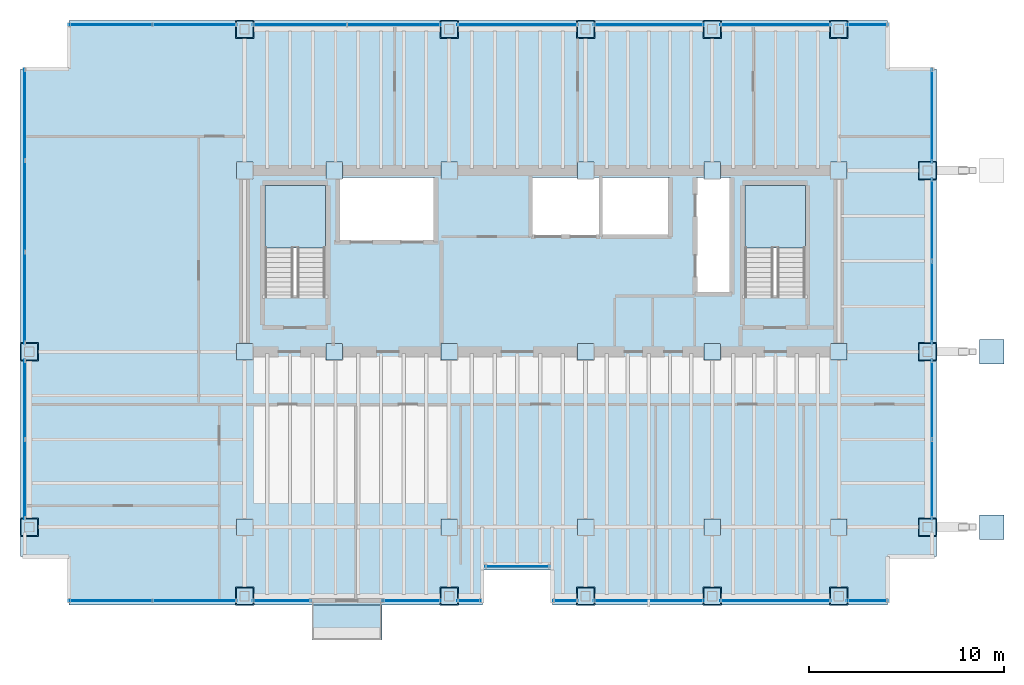
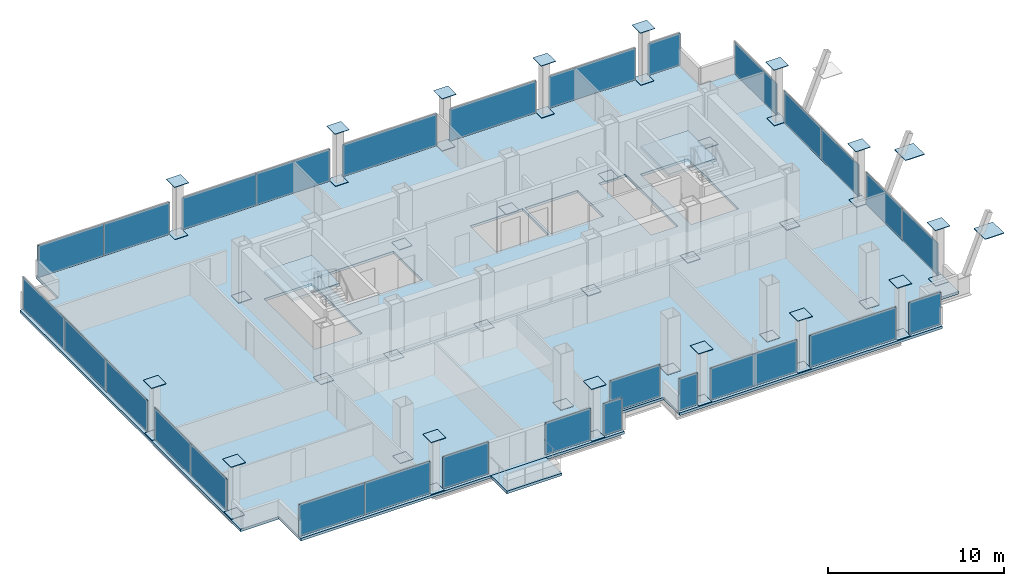
# One storey, part 15 of 19: 77 plates, 4 slabs, 6 openings, 22 elements without a shape of their own.
"""IFC4 building model written with IfcOpenShell, lengths in metres."""

from ifc_helpers import new_model, si_unit, direction, frame, origin, origin_2d, place, context, subcontext, project, spatial, polyline, rectangle, outline, extrude, material, layer, layer_set, type_object, element, aggregate, save


model = new_model("IFC4")

# Units and contexts
model_context = context("Model", 3, precision=1e-05, world=origin(), true_north=direction((0.0, 1.0)))
body_context = subcontext(model_context, "Body", "Model", "MODEL_VIEW")
ifc_project = project(units=[si_unit("LENGTHUNIT", "METRE"), si_unit("AREAUNIT", "SQUARE_METRE"), si_unit("VOLUMEUNIT", "CUBIC_METRE"), si_unit("PLANEANGLEUNIT", "RADIAN"), si_unit("MASSUNIT", "GRAM", prefix="KILO")], contexts=[model_context])

# Site, building, storey
site_placement = place(None, origin())
site = spatial("IfcSite", under=ifc_project, at=site_placement, CompositionType="ELEMENT")
building_placement = place(site_placement, origin())
building = spatial("IfcBuilding", under=site, at=building_placement, Name="Noeulbin Bourse Tower", CompositionType="ELEMENT")
storey_placement = place(building_placement, frame((0.0, 0.0, 165.60009765625)))
storey = spatial("IfcBuildingStorey", under=building, at=storey_placement, Name="L41", CompositionType="ELEMENT", Elevation=165.60009765625)

# Curtain wall, plate
ifc_material_1 = material(Name="Dark Tinted Triple Glazing", Category="glass")
curtain_wall_type = type_object("IfcCurtainWallType", Name="CW-SYS-3", PredefinedType="NOTDEFINED", material=ifc_material_1)
curtain_wall_1_placement = place(storey_placement, origin())
curtain_wall_1 = element("IfcCurtainWall", 1, at=curtain_wall_1_placement, inside=storey, type_object=curtain_wall_type, Name="Unitised Curtain Wall CW-L41-SREC", PredefinedType="NOTDEFINED")
ifc_layer_1 = layer(ifc_material_1, 0.035888671875)
ifc_layer_set_1 = layer_set([ifc_layer_1], Name="Dark Tinted Triple Glazing")
plate_type_1 = type_object("IfcPlateType", Name="CW-SYS-3-PNL", PredefinedType="CURTAIN_PANEL", material=ifc_layer_set_1)
plate_1_placement = place(storey_placement, frame((27.5, 17.97998046875, 0.0), z_axis=(0.0, 0.0, 1.0), x_axis=(1.0, 0.0, 0.0)))
plate_1 = element("IfcPlate", 2, at=plate_1_placement, type_object=plate_type_1, Name="Glazed Curtain Panel CW-L41-SREC-P00", PredefinedType="CURTAIN_PANEL", context=body_context, shape_type="SweptSolid", body=[
    extrude(rectangle(XDim=3.300048828125, YDim=0.035888671875, at=origin_2d()), origin(), (0.0, 0.0, 1.0), 2.219970703125),
])
aggregate(curtain_wall_1, [plate_1])

# Curtain wall, plates
curtain_wall_2_placement = place(storey_placement, origin())
curtain_wall_2 = element("IfcCurtainWall", 3, at=curtain_wall_2_placement, inside=storey, type_object=curtain_wall_type, Name="Unitised Curtain Wall CW-L41-S1-S1", PredefinedType="NOTDEFINED")
plate_2_placement = place(storey_placement, frame((6.632568359375, 16.219970703125, 0.0), z_axis=(0.0, 0.0, 1.0), x_axis=(1.0, 0.0, 0.0)))
plate_2 = element("IfcPlate", 4, at=plate_2_placement, type_object=plate_type_1, Name="Glazed Curtain Panel CW-L41-S1-S1-P00", PredefinedType="CURTAIN_PANEL", context=body_context, shape_type="SweptSolid", body=[
    extrude(rectangle(XDim=4.304931640625, YDim=0.035888671875, at=origin_2d()), origin(), (0.0, 0.0, 1.0), 2.219970703125),
])
plate_3_placement = place(storey_placement, frame((10.9375, 16.219970703125, 0.0), z_axis=(0.0, 0.0, 1.0), x_axis=(1.0, 0.0, 0.0)))
plate_3 = element("IfcPlate", 5, at=plate_3_placement, type_object=plate_type_1, Name="Glazed Curtain Panel CW-L41-S1-S1-P01", PredefinedType="CURTAIN_PANEL", context=body_context, shape_type="SweptSolid", body=[
    extrude(rectangle(XDim=4.304931640625, YDim=0.035888671875, at=origin_2d()), origin(), (0.0, 0.0, 1.0), 2.219970703125),
])
aggregate(curtain_wall_2, [plate_2, plate_3])

# Curtain wall, plate
curtain_wall_3_placement = place(storey_placement, origin())
curtain_wall_3 = element("IfcCurtainWall", 6, at=curtain_wall_3_placement, inside=storey, type_object=curtain_wall_type, Name="Unitised Curtain Wall CW-L41-S1-S2", PredefinedType="NOTDEFINED")
plate_4_placement = place(storey_placement, frame((15.405029296875, 16.219970703125, 0.0), z_axis=(0.0, 0.0, 1.0), x_axis=(1.0, 0.0, 0.0)))
plate_4 = element("IfcPlate", 7, at=plate_4_placement, type_object=plate_type_1, Name="Glazed Curtain Panel CW-L41-S1-S2-P00", PredefinedType="CURTAIN_PANEL", context=body_context, shape_type="SweptSolid", body=[
    extrude(rectangle(XDim=2.989990234375, YDim=0.035888671875, at=origin_2d()), origin(), (0.0, 0.0, 1.0), 2.219970703125),
])
aggregate(curtain_wall_3, [plate_4])

curtain_wall_4_placement = place(storey_placement, origin())
curtain_wall_4 = element("IfcCurtainWall", 8, at=curtain_wall_4_placement, inside=storey, type_object=curtain_wall_type, Name="Unitised Curtain Wall CW-L41-S2-S1", PredefinedType="NOTDEFINED")
plate_5_placement = place(storey_placement, frame((22.094970703125, 16.219970703125, 0.0), z_axis=(0.0, 0.0, 1.0), x_axis=(1.0, 0.0, 0.0)))
plate_5 = element("IfcPlate", 9, at=plate_5_placement, type_object=plate_type_1, Name="Glazed Curtain Panel CW-L41-S2-S1-P00", PredefinedType="CURTAIN_PANEL", context=body_context, shape_type="SweptSolid", body=[
    extrude(rectangle(XDim=2.989990234375, YDim=0.035888671875, at=origin_2d()), origin(), (0.0, 0.0, 1.0), 2.219970703125),
])
aggregate(curtain_wall_4, [plate_5])

curtain_wall_5_placement = place(storey_placement, origin())
curtain_wall_5 = element("IfcCurtainWall", 10, at=curtain_wall_5_placement, inside=storey, type_object=curtain_wall_type, Name="Unitised Curtain Wall CW-L41-S2-S2", PredefinedType="NOTDEFINED")
plate_6_placement = place(storey_placement, frame((25.030029296875, 16.219970703125, 0.0), z_axis=(0.0, 0.0, 1.0), x_axis=(1.0, 0.0, 0.0)))
plate_6 = element("IfcPlate", 11, at=plate_6_placement, type_object=plate_type_1, Name="Glazed Curtain Panel CW-L41-S2-S2-P00", PredefinedType="CURTAIN_PANEL", context=body_context, shape_type="SweptSolid", body=[
    extrude(rectangle(XDim=1.239990234375, YDim=0.035888671875, at=origin_2d()), origin(), (0.0, 0.0, 1.0), 2.219970703125),
])
aggregate(curtain_wall_5, [plate_6])

curtain_wall_6_placement = place(storey_placement, origin())
curtain_wall_6 = element("IfcCurtainWall", 12, at=curtain_wall_6_placement, inside=storey, type_object=curtain_wall_type, Name="Unitised Curtain Wall CW-L41-S3-S1", PredefinedType="NOTDEFINED")
plate_7_placement = place(storey_placement, frame((29.969970703125, 16.219970703125, 0.0), z_axis=(0.0, 0.0, 1.0), x_axis=(1.0, 0.0, 0.0)))
plate_7 = element("IfcPlate", 13, at=plate_7_placement, type_object=plate_type_1, Name="Glazed Curtain Panel CW-L41-S3-S1-P00", PredefinedType="CURTAIN_PANEL", context=body_context, shape_type="SweptSolid", body=[
    extrude(rectangle(XDim=1.239990234375, YDim=0.035888671875, at=origin_2d()), origin(), (0.0, 0.0, 1.0), 2.219970703125),
])
aggregate(curtain_wall_6, [plate_7])

curtain_wall_7_placement = place(storey_placement, origin())
curtain_wall_7 = element("IfcCurtainWall", 14, at=curtain_wall_7_placement, inside=storey, type_object=curtain_wall_type, Name="Unitised Curtain Wall CW-L41-S3-S2", PredefinedType="NOTDEFINED")
plate_8_placement = place(storey_placement, frame((34.25, 16.219970703125, 0.0), z_axis=(0.0, 0.0, 1.0), x_axis=(1.0, 0.0, 0.0)))
plate_8 = element("IfcPlate", 15, at=plate_8_placement, type_object=plate_type_1, Name="Glazed Curtain Panel CW-L41-S3-S2-P00", PredefinedType="CURTAIN_PANEL", context=body_context, shape_type="SweptSolid", body=[
    extrude(rectangle(XDim=5.679931640625, YDim=0.035888671875, at=origin_2d()), origin(), (0.0, 0.0, 1.0), 2.219970703125),
])
aggregate(curtain_wall_7, [plate_8])

curtain_wall_8_placement = place(storey_placement, origin())
curtain_wall_8 = element("IfcCurtainWall", 16, at=curtain_wall_8_placement, inside=storey, type_object=curtain_wall_type, Name="Unitised Curtain Wall CW-L41-S3-S3", PredefinedType="NOTDEFINED")
plate_9_placement = place(storey_placement, frame((40.75, 16.219970703125, 0.0), z_axis=(0.0, 0.0, 1.0), x_axis=(1.0, 0.0, 0.0)))
plate_9 = element("IfcPlate", 17, at=plate_9_placement, type_object=plate_type_1, Name="Glazed Curtain Panel CW-L41-S3-S3-P00", PredefinedType="CURTAIN_PANEL", context=body_context, shape_type="SweptSolid", body=[
    extrude(rectangle(XDim=5.679931640625, YDim=0.035888671875, at=origin_2d()), origin(), (0.0, 0.0, 1.0), 2.219970703125),
])
aggregate(curtain_wall_8, [plate_9])

curtain_wall_9_placement = place(storey_placement, origin())
curtain_wall_9 = element("IfcCurtainWall", 18, at=curtain_wall_9_placement, inside=storey, type_object=curtain_wall_type, Name="Unitised Curtain Wall CW-L41-S3-S4", PredefinedType="NOTDEFINED")
plate_10_placement = place(storey_placement, frame((45.465087890625, 16.219970703125, 0.0), z_axis=(0.0, 0.0, 1.0), x_axis=(1.0, 0.0, 0.0)))
plate_10 = element("IfcPlate", 19, at=plate_10_placement, type_object=plate_type_1, Name="Glazed Curtain Panel CW-L41-S3-S4-P00", PredefinedType="CURTAIN_PANEL", context=body_context, shape_type="SweptSolid", body=[
    extrude(rectangle(XDim=2.110107421875, YDim=0.035888671875, at=origin_2d()), origin(), (0.0, 0.0, 1.0), 2.219970703125),
])
aggregate(curtain_wall_9, [plate_10])

# Curtain wall, plates
curtain_wall_10_placement = place(storey_placement, origin())
curtain_wall_10 = element("IfcCurtainWall", 20, at=curtain_wall_10_placement, inside=storey, type_object=curtain_wall_type, Name="Unitised Curtain Wall CW-L41-N-S1", PredefinedType="NOTDEFINED")
plate_11_placement = place(storey_placement, frame((6.632568359375, 45.780029296875, 0.0), z_axis=(0.0, 0.0, 1.0), x_axis=(1.0, 0.0, 0.0)))
plate_11 = element("IfcPlate", 21, at=plate_11_placement, type_object=plate_type_1, Name="Glazed Curtain Panel CW-L41-N-S1-P00", PredefinedType="CURTAIN_PANEL", context=body_context, shape_type="SweptSolid", body=[
    extrude(rectangle(XDim=4.304931640625, YDim=0.035888671875, at=origin_2d()), origin(), (0.0, 0.0, 1.0), 2.219970703125),
])
plate_12_placement = place(storey_placement, frame((10.9375, 45.780029296875, 0.0), z_axis=(0.0, 0.0, 1.0), x_axis=(1.0, 0.0, 0.0)))
plate_12 = element("IfcPlate", 22, at=plate_12_placement, type_object=plate_type_1, Name="Glazed Curtain Panel CW-L41-N-S1-P01", PredefinedType="CURTAIN_PANEL", context=body_context, shape_type="SweptSolid", body=[
    extrude(rectangle(XDim=4.304931640625, YDim=0.035888671875, at=origin_2d()), origin(), (0.0, 0.0, 1.0), 2.219970703125),
])
aggregate(curtain_wall_10, [plate_11, plate_12])

curtain_wall_11_placement = place(storey_placement, origin())
curtain_wall_11 = element("IfcCurtainWall", 23, at=curtain_wall_11_placement, inside=storey, type_object=curtain_wall_type, Name="Unitised Curtain Wall CW-L41-N-S2", PredefinedType="NOTDEFINED")
plate_13_placement = place(storey_placement, frame((16.330078125, 45.780029296875, 0.0), z_axis=(0.0, 0.0, 1.0), x_axis=(1.0, 0.0, 0.0)))
plate_13 = element("IfcPlate", 24, at=plate_13_placement, type_object=plate_type_1, Name="Glazed Curtain Panel CW-L41-N-S2-P00", PredefinedType="CURTAIN_PANEL", context=body_context, shape_type="SweptSolid", body=[
    extrude(rectangle(XDim=4.840087890625, YDim=0.035888671875, at=origin_2d()), origin(), (0.0, 0.0, 1.0), 2.219970703125),
])
plate_14_placement = place(storey_placement, frame((21.169921875, 45.780029296875, 0.0), z_axis=(0.0, 0.0, 1.0), x_axis=(1.0, 0.0, 0.0)))
plate_14 = element("IfcPlate", 25, at=plate_14_placement, type_object=plate_type_1, Name="Glazed Curtain Panel CW-L41-N-S2-P01", PredefinedType="CURTAIN_PANEL", context=body_context, shape_type="SweptSolid", body=[
    extrude(rectangle(XDim=4.840087890625, YDim=0.035888671875, at=origin_2d()), origin(), (0.0, 0.0, 1.0), 2.219970703125),
])
aggregate(curtain_wall_11, [plate_13, plate_14])

# Curtain wall, plate
curtain_wall_12_placement = place(storey_placement, origin())
curtain_wall_12 = element("IfcCurtainWall", 26, at=curtain_wall_12_placement, inside=storey, type_object=curtain_wall_type, Name="Unitised Curtain Wall CW-L41-N-S3", PredefinedType="NOTDEFINED")
plate_15_placement = place(storey_placement, frame((27.5, 45.780029296875, 0.0), z_axis=(0.0, 0.0, 1.0), x_axis=(1.0, 0.0, 0.0)))
plate_15 = element("IfcPlate", 27, at=plate_15_placement, type_object=plate_type_1, Name="Glazed Curtain Panel CW-L41-N-S3-P00", PredefinedType="CURTAIN_PANEL", context=body_context, shape_type="SweptSolid", body=[
    extrude(rectangle(XDim=6.179931640625, YDim=0.035888671875, at=origin_2d()), origin(), (0.0, 0.0, 1.0), 2.219970703125),
])
aggregate(curtain_wall_12, [plate_15])

curtain_wall_13_placement = place(storey_placement, origin())
curtain_wall_13 = element("IfcCurtainWall", 28, at=curtain_wall_13_placement, inside=storey, type_object=curtain_wall_type, Name="Unitised Curtain Wall CW-L41-N-S4", PredefinedType="NOTDEFINED")
plate_16_placement = place(storey_placement, frame((34.25, 45.780029296875, 0.0), z_axis=(0.0, 0.0, 1.0), x_axis=(1.0, 0.0, 0.0)))
plate_16 = element("IfcPlate", 29, at=plate_16_placement, type_object=plate_type_1, Name="Glazed Curtain Panel CW-L41-N-S4-P00", PredefinedType="CURTAIN_PANEL", context=body_context, shape_type="SweptSolid", body=[
    extrude(rectangle(XDim=5.679931640625, YDim=0.035888671875, at=origin_2d()), origin(), (0.0, 0.0, 1.0), 2.219970703125),
])
aggregate(curtain_wall_13, [plate_16])

curtain_wall_14_placement = place(storey_placement, origin())
curtain_wall_14 = element("IfcCurtainWall", 30, at=curtain_wall_14_placement, inside=storey, type_object=curtain_wall_type, Name="Unitised Curtain Wall CW-L41-N-S5", PredefinedType="NOTDEFINED")
plate_17_placement = place(storey_placement, frame((40.75, 45.780029296875, 0.0), z_axis=(0.0, 0.0, 1.0), x_axis=(1.0, 0.0, 0.0)))
plate_17 = element("IfcPlate", 31, at=plate_17_placement, type_object=plate_type_1, Name="Glazed Curtain Panel CW-L41-N-S5-P00", PredefinedType="CURTAIN_PANEL", context=body_context, shape_type="SweptSolid", body=[
    extrude(rectangle(XDim=5.679931640625, YDim=0.035888671875, at=origin_2d()), origin(), (0.0, 0.0, 1.0), 2.219970703125),
])
aggregate(curtain_wall_14, [plate_17])

curtain_wall_15_placement = place(storey_placement, origin())
curtain_wall_15 = element("IfcCurtainWall", 32, at=curtain_wall_15_placement, inside=storey, type_object=curtain_wall_type, Name="Unitised Curtain Wall CW-L41-N-S6", PredefinedType="NOTDEFINED")
plate_18_placement = place(storey_placement, frame((45.465087890625, 45.780029296875, 0.0), z_axis=(0.0, 0.0, 1.0), x_axis=(1.0, 0.0, 0.0)))
plate_18 = element("IfcPlate", 33, at=plate_18_placement, type_object=plate_type_1, Name="Glazed Curtain Panel CW-L41-N-S6-P00", PredefinedType="CURTAIN_PANEL", context=body_context, shape_type="SweptSolid", body=[
    extrude(rectangle(XDim=2.110107421875, YDim=0.035888671875, at=origin_2d()), origin(), (0.0, 0.0, 1.0), 2.219970703125),
])
aggregate(curtain_wall_15, [plate_18])

# Curtain wall, plates
curtain_wall_16_placement = place(storey_placement, origin())
curtain_wall_16 = element("IfcCurtainWall", 34, at=curtain_wall_16_placement, inside=storey, type_object=curtain_wall_type, Name="Unitised Curtain Wall CW-L41-W-S1", PredefinedType="NOTDEFINED")
plate_19_placement = place(storey_placement, frame((2.219970703125, 22.455078125, 0.0), z_axis=(0.0, 0.0, 1.0), x_axis=(0.0, 1.0, 0.0)))
plate_19 = element("IfcPlate", 35, at=plate_19_placement, type_object=plate_type_1, Name="Glazed Curtain Panel CW-L41-W-S1-P00", PredefinedType="CURTAIN_PANEL", context=body_context, shape_type="SweptSolid", body=[
    extrude(rectangle(XDim=4.090087890625, YDim=0.035888671875, at=origin_2d()), origin(), (0.0, 0.0, 1.0), 2.219970703125),
])
plate_20_placement = place(storey_placement, frame((2.219970703125, 26.544921875, 0.0), z_axis=(0.0, 0.0, 1.0), x_axis=(0.0, 1.0, 0.0)))
plate_20 = element("IfcPlate", 36, at=plate_20_placement, type_object=plate_type_1, Name="Glazed Curtain Panel CW-L41-W-S1-P01", PredefinedType="CURTAIN_PANEL", context=body_context, shape_type="SweptSolid", body=[
    extrude(rectangle(XDim=4.090087890625, YDim=0.035888671875, at=origin_2d()), origin(), (0.0, 0.0, 1.0), 2.219970703125),
])
aggregate(curtain_wall_16, [plate_19, plate_20])

curtain_wall_17_placement = place(storey_placement, origin())
curtain_wall_17 = element("IfcCurtainWall", 37, at=curtain_wall_17_placement, inside=storey, type_object=curtain_wall_type, Name="Unitised Curtain Wall CW-L41-W-S2", PredefinedType="NOTDEFINED")
plate_21_placement = place(storey_placement, frame((2.219970703125, 31.76171875, 0.0), z_axis=(0.0, 0.0, 1.0), x_axis=(0.0, 1.0, 0.0)))
plate_21 = element("IfcPlate", 38, at=plate_21_placement, type_object=plate_type_1, Name="Glazed Curtain Panel CW-L41-W-S2-P00", PredefinedType="CURTAIN_PANEL", context=body_context, shape_type="SweptSolid", body=[
    extrude(rectangle(XDim=4.703369140625, YDim=0.035888671875, at=origin_2d()), origin(), (0.0, 0.0, 1.0), 2.219970703125),
])
plate_22_placement = place(storey_placement, frame((2.219970703125, 36.465087890625, 0.0), z_axis=(0.0, 0.0, 1.0), x_axis=(0.0, 1.0, 0.0)))
plate_22 = element("IfcPlate", 39, at=plate_22_placement, type_object=plate_type_1, Name="Glazed Curtain Panel CW-L41-W-S2-P01", PredefinedType="CURTAIN_PANEL", context=body_context, shape_type="SweptSolid", body=[
    extrude(rectangle(XDim=4.703369140625, YDim=0.035888671875, at=origin_2d()), origin(), (0.0, 0.0, 1.0), 2.219970703125),
])
plate_23_placement = place(storey_placement, frame((2.219970703125, 41.168212890625, 0.0), z_axis=(0.0, 0.0, 1.0), x_axis=(0.0, 1.0, 0.0)))
plate_23 = element("IfcPlate", 40, at=plate_23_placement, type_object=plate_type_1, Name="Glazed Curtain Panel CW-L41-W-S2-P02", PredefinedType="CURTAIN_PANEL", context=body_context, shape_type="SweptSolid", body=[
    extrude(rectangle(XDim=4.703369140625, YDim=0.035888671875, at=origin_2d()), origin(), (0.0, 0.0, 1.0), 2.219970703125),
])
aggregate(curtain_wall_17, [plate_21, plate_22, plate_23])

curtain_wall_18_placement = place(storey_placement, origin())
curtain_wall_18 = element("IfcCurtainWall", 41, at=curtain_wall_18_placement, inside=storey, type_object=curtain_wall_type, Name="Unitised Curtain Wall CW-L41-E-S1", PredefinedType="NOTDEFINED")
plate_24_placement = place(storey_placement, frame((48.780029296875, 22.455078125, 0.0), z_axis=(0.0, 0.0, 1.0), x_axis=(0.0, 1.0, 0.0)))
plate_24 = element("IfcPlate", 42, at=plate_24_placement, type_object=plate_type_1, Name="Glazed Curtain Panel CW-L41-E-S1-P00", PredefinedType="CURTAIN_PANEL", context=body_context, shape_type="SweptSolid", body=[
    extrude(rectangle(XDim=4.090087890625, YDim=0.035888671875, at=origin_2d()), origin(), (0.0, 0.0, 1.0), 2.219970703125),
])
plate_25_placement = place(storey_placement, frame((48.780029296875, 26.544921875, 0.0), z_axis=(0.0, 0.0, 1.0), x_axis=(0.0, 1.0, 0.0)))
plate_25 = element("IfcPlate", 43, at=plate_25_placement, type_object=plate_type_1, Name="Glazed Curtain Panel CW-L41-E-S1-P01", PredefinedType="CURTAIN_PANEL", context=body_context, shape_type="SweptSolid", body=[
    extrude(rectangle(XDim=4.090087890625, YDim=0.035888671875, at=origin_2d()), origin(), (0.0, 0.0, 1.0), 2.219970703125),
])
aggregate(curtain_wall_18, [plate_24, plate_25])

curtain_wall_19_placement = place(storey_placement, origin())
curtain_wall_19 = element("IfcCurtainWall", 44, at=curtain_wall_19_placement, inside=storey, type_object=curtain_wall_type, Name="Unitised Curtain Wall CW-L41-E-S2", PredefinedType="NOTDEFINED")
plate_26_placement = place(storey_placement, frame((48.780029296875, 31.530029296875, 0.0), z_axis=(0.0, 0.0, 1.0), x_axis=(0.0, 1.0, 0.0)))
plate_26 = element("IfcPlate", 45, at=plate_26_placement, type_object=plate_type_1, Name="Glazed Curtain Panel CW-L41-E-S2-P00", PredefinedType="CURTAIN_PANEL", context=body_context, shape_type="SweptSolid", body=[
    extrude(rectangle(XDim=4.239990234375, YDim=0.035888671875, at=origin_2d()), origin(), (0.0, 0.0, 1.0), 2.219970703125),
])
plate_27_placement = place(storey_placement, frame((48.780029296875, 35.77001953125, 0.0), z_axis=(0.0, 0.0, 1.0), x_axis=(0.0, 1.0, 0.0)))
plate_27 = element("IfcPlate", 46, at=plate_27_placement, type_object=plate_type_1, Name="Glazed Curtain Panel CW-L41-E-S2-P01", PredefinedType="CURTAIN_PANEL", context=body_context, shape_type="SweptSolid", body=[
    extrude(rectangle(XDim=4.239990234375, YDim=0.035888671875, at=origin_2d()), origin(), (0.0, 0.0, 1.0), 2.219970703125),
])
aggregate(curtain_wall_19, [plate_26, plate_27])

# Curtain wall, plate
curtain_wall_20_placement = place(storey_placement, origin())
curtain_wall_20 = element("IfcCurtainWall", 47, at=curtain_wall_20_placement, inside=storey, type_object=curtain_wall_type, Name="Unitised Curtain Wall CW-L41-E-S3", PredefinedType="NOTDEFINED")
plate_28_placement = place(storey_placement, frame((48.780029296875, 41.114990234375, 0.0), z_axis=(0.0, 0.0, 1.0), x_axis=(0.0, 1.0, 0.0)))
plate_28 = element("IfcPlate", 48, at=plate_28_placement, type_object=plate_type_1, Name="Glazed Curtain Panel CW-L41-E-S3-P00", PredefinedType="CURTAIN_PANEL", context=body_context, shape_type="SweptSolid", body=[
    extrude(rectangle(XDim=4.81005859375, YDim=0.035888671875, at=origin_2d()), origin(), (0.0, 0.0, 1.0), 2.219970703125),
])
aggregate(curtain_wall_20, [plate_28])

# Plates
ifc_material_2 = material(Name="Steel S355", Category="steel")
ifc_layer_2 = layer(ifc_material_2, 0.030029296875)
ifc_layer_set_2 = layer_set([ifc_layer_2], Name="Steel S355")
plate_type_2 = type_object("IfcPlateType", Name="PLT-BN1", PredefinedType="USERDEFINED", material=ifc_layer_set_2)
for number, where, z_axis, x_axis, name in (
    (49, (13.5, 29.0, 0.0048828125), (0.0, 0.0, 1.0), (1.0, 0.0, 0.0), "Mega-Column Splice Plate BN1-L41-01"),
    (50, (13.5, 38.300048828125, 0.0048828125), (0.0, 0.0, 1.0), (1.0, 0.0, 0.0), "Mega-Column Splice Plate BN1-L41-02"),
    (51, (18.10009765625, 29.0, 0.0048828125), (0.0, 0.0, 1.0), (1.0, 0.0, 0.0), "Mega-Column Splice Plate BN1-L41-03"),
    (52, (18.10009765625, 38.300048828125, 0.0048828125), (0.0, 0.0, 1.0), (1.0, 0.0, 0.0), "Mega-Column Splice Plate BN1-L41-04"),
    (53, (24.0, 29.0, 0.0048828125), (0.0, 0.0, 1.0), (1.0, 0.0, 0.0), "Mega-Column Splice Plate BN1-L41-05"),
    (54, (24.0, 38.300048828125, 0.0048828125), (0.0, 0.0, 1.0), (1.0, 0.0, 0.0), "Mega-Column Splice Plate BN1-L41-06"),
    (55, (31.0, 29.0, 0.0048828125), (0.0, 0.0, 1.0), (1.0, 0.0, 0.0), "Mega-Column Splice Plate BN1-L41-07"),
    (56, (31.0, 38.300048828125, 0.0048828125), (0.0, 0.0, 1.0), (1.0, 0.0, 0.0), "Mega-Column Splice Plate BN1-L41-08"),
    (57, (37.5, 29.0, 0.0048828125), (0.0, 0.0, 1.0), (1.0, 0.0, 0.0), "Mega-Column Splice Plate BN1-L41-09"),
    (58, (37.5, 38.300048828125, 0.0048828125), (0.0, 0.0, 1.0), (1.0, 0.0, 0.0), "Mega-Column Splice Plate BN1-L41-10"),
    (59, (44.0, 29.0, 0.0048828125), (0.0, 0.0, 1.0), (1.0, 0.0, 0.0), "Mega-Column Splice Plate BN1-L41-11"),
    (60, (44.0, 38.300048828125, 0.0048828125), (0.0, 0.0, 1.0), (1.0, 0.0, 0.0), "Mega-Column Splice Plate BN1-L41-12"),
    (61, (13.5, 20.0, 0.0048828125), (0.0, 0.0, 1.0), (1.0, 0.0, 0.0), "Mega-Column Splice Plate BN1-L41-13"),
    (62, (24.0, 20.0, 0.0048828125), (0.0, 0.0, 1.0), (1.0, 0.0, 0.0), "Mega-Column Splice Plate BN1-L41-14"),
    (63, (31.0, 20.0, 0.0048828125), (0.0, 0.0, 1.0), (1.0, 0.0, 0.0), "Mega-Column Splice Plate BN1-L41-15"),
    (64, (37.5, 20.0, 0.0048828125), (0.0, 0.0, 1.0), (1.0, 0.0, 0.0), "Mega-Column Splice Plate BN1-L41-16"),
    (65, (44.0, 20.0, 0.0048828125), (0.0, 0.0, 1.0), (1.0, 0.0, 0.0), "Mega-Column Splice Plate BN1-L41-17"),
    (66, (2.449951171875, 20.0, 0.0048828125), (0.0, 0.0, 1.0), (1.0, 0.0, 0.0), "Perimeter Column Splice Plate BN1-L41-01"),
    (67, (2.449951171875, 29.0, 0.0048828125), (0.0, 0.0, 1.0), (1.0, 0.0, 0.0), "Perimeter Column Splice Plate BN1-L41-02"),
    (68, (13.5, 16.449951171875, 0.0048828125), (0.0, 0.0, 1.0), (1.0, 0.0, 0.0), "Perimeter Column Splice Plate BN1-L41-03"),
    (69, (13.5, 45.550048828125, 0.0048828125), (0.0, 0.0, 1.0), (1.0, 0.0, 0.0), "Perimeter Column Splice Plate BN1-L41-04"),
    (70, (24.0, 16.449951171875, 0.0048828125), (0.0, 0.0, 1.0), (1.0, 0.0, 0.0), "Perimeter Column Splice Plate BN1-L41-05"),
    (71, (24.0, 45.550048828125, 0.0048828125), (0.0, 0.0, 1.0), (1.0, 0.0, 0.0), "Perimeter Column Splice Plate BN1-L41-06"),
    (72, (31.0, 16.449951171875, 0.0048828125), (0.0, 0.0, 1.0), (1.0, 0.0, 0.0), "Perimeter Column Splice Plate BN1-L41-07"),
    (73, (31.0, 45.550048828125, 0.0048828125), (0.0, 0.0, 1.0), (1.0, 0.0, 0.0), "Perimeter Column Splice Plate BN1-L41-08"),
    (74, (37.5, 16.449951171875, 0.0048828125), (0.0, 0.0, 1.0), (1.0, 0.0, 0.0), "Perimeter Column Splice Plate BN1-L41-09"),
    (75, (37.5, 45.550048828125, 0.0048828125), (0.0, 0.0, 1.0), (1.0, 0.0, 0.0), "Perimeter Column Splice Plate BN1-L41-10"),
    (76, (44.0, 16.449951171875, 0.0048828125), (0.0, 0.0, 1.0), (1.0, 0.0, 0.0), "Perimeter Column Splice Plate BN1-L41-11"),
    (77, (44.0, 45.550048828125, 0.0048828125), (0.0, 0.0, 1.0), (1.0, 0.0, 0.0), "Perimeter Column Splice Plate BN1-L41-12"),
    (78, (48.550048828125, 20.0, 0.0048828125), (0.0, 0.0, 1.0), (1.0, 0.0, 0.0), "Perimeter Column Splice Plate BN1-L41-13"),
    (79, (48.550048828125, 29.0, 0.0048828125), (0.0, 0.0, 1.0), (1.0, 0.0, 0.0), "Perimeter Column Splice Plate BN1-L41-14"),
    (80, (48.550048828125, 38.300048828125, 0.0048828125), (0.0, 0.0, 1.0), (1.0, 0.0, 0.0), "Perimeter Column Splice Plate BN1-L41-15"),
):
    element("IfcPlate", number, at=place(storey_placement, frame(where, z_axis=z_axis, x_axis=x_axis)), inside=storey, type_object=plate_type_2, Name=name, ObjectType="SPLICE PLATE", PredefinedType="USERDEFINED", context=body_context, shape_type="SweptSolid", body=[
        extrude(rectangle(XDim=0.85009765625, YDim=0.85009765625, at=origin_2d()), origin(), (0.0, 0.0, 1.0), 0.030029296875),
    ])
ifc_material_3 = material(Name="Steel S460", Category="steel")
ifc_layer_3 = layer(ifc_material_3, 0.0400390625)
ifc_layer_set_3 = layer_set([ifc_layer_3], Name="Steel S460")
plate_type_3 = type_object("IfcPlateType", Name="PLT-KN1", PredefinedType="USERDEFINED", material=ifc_layer_set_3)
for number, where, z_axis, x_axis, name in (
    (81, (51.85009765625, 20.0, 2.259765625), (0.0, 0.0, 1.0), (1.0, 0.0, 0.0), "Exoskeleton Kink Gusset KN1-01"),
    (82, (51.85009765625, 29.0, 2.259765625), (0.0, 0.0, 1.0), (1.0, 0.0, 0.0), "Exoskeleton Kink Gusset KN1-02"),
):
    element("IfcPlate", number, at=place(storey_placement, frame(where, z_axis=z_axis, x_axis=x_axis)), inside=storey, type_object=plate_type_3, Name=name, ObjectType="GUSSET PLATE", PredefinedType="USERDEFINED", context=body_context, shape_type="SweptSolid", body=[
        extrude(rectangle(XDim=1.25, YDim=1.25, at=origin_2d()), origin(), (0.0, 0.0, 1.0), 0.0400390625),
    ])
ifc_layer_4 = layer(ifc_material_2, 0.031982421875)
ifc_layer_set_4 = layer_set([ifc_layer_4], Name="Steel S355")
plate_type_4 = type_object("IfcPlateType", Name="PLT-KN3", PredefinedType="USERDEFINED", material=ifc_layer_set_4)
for number, where, z_axis, x_axis, name in (
    (83, (2.449951171875, 20.0, 3.64404296875), (0.0, 0.0, 1.0), (1.0, 0.0, 0.0), "Perimeter Column End Cap Plate KN3-01"),
    (84, (2.449951171875, 29.0, 3.64404296875), (0.0, 0.0, 1.0), (1.0, 0.0, 0.0), "Perimeter Column End Cap Plate KN3-02"),
    (85, (13.5, 16.449951171875, 3.64404296875), (0.0, 0.0, 1.0), (1.0, 0.0, 0.0), "Perimeter Column End Cap Plate KN3-03"),
    (86, (13.5, 45.550048828125, 3.64404296875), (0.0, 0.0, 1.0), (1.0, 0.0, 0.0), "Perimeter Column End Cap Plate KN3-04"),
    (87, (24.0, 16.449951171875, 3.64404296875), (0.0, 0.0, 1.0), (1.0, 0.0, 0.0), "Perimeter Column End Cap Plate KN3-05"),
    (88, (24.0, 45.550048828125, 3.64404296875), (0.0, 0.0, 1.0), (1.0, 0.0, 0.0), "Perimeter Column End Cap Plate KN3-06"),
    (89, (31.0, 16.449951171875, 3.64404296875), (0.0, 0.0, 1.0), (1.0, 0.0, 0.0), "Perimeter Column End Cap Plate KN3-07"),
    (90, (31.0, 45.550048828125, 3.64404296875), (0.0, 0.0, 1.0), (1.0, 0.0, 0.0), "Perimeter Column End Cap Plate KN3-08"),
    (91, (37.5, 16.449951171875, 3.64404296875), (0.0, 0.0, 1.0), (1.0, 0.0, 0.0), "Perimeter Column End Cap Plate KN3-09"),
    (92, (37.5, 45.550048828125, 3.64404296875), (0.0, 0.0, 1.0), (1.0, 0.0, 0.0), "Perimeter Column End Cap Plate KN3-10"),
    (93, (44.0, 16.449951171875, 3.64404296875), (0.0, 0.0, 1.0), (1.0, 0.0, 0.0), "Perimeter Column End Cap Plate KN3-11"),
    (94, (44.0, 45.550048828125, 3.64404296875), (0.0, 0.0, 1.0), (1.0, 0.0, 0.0), "Perimeter Column End Cap Plate KN3-12"),
    (95, (48.550048828125, 20.0, 3.8837890625), (0.0, 0.0, 1.0), (1.0, 0.0, 0.0), "Perimeter Column End Cap Plate KN3-13"),
    (96, (48.550048828125, 29.0, 3.8837890625), (0.0, 0.0, 1.0), (1.0, 0.0, 0.0), "Perimeter Column End Cap Plate KN3-14"),
    (97, (48.550048828125, 38.300048828125, 3.8837890625), (0.0, 0.0, 1.0), (1.0, 0.0, 0.0), "Perimeter Column End Cap Plate KN3-15"),
):
    element("IfcPlate", number, at=place(storey_placement, frame(where, z_axis=z_axis, x_axis=x_axis)), inside=storey, type_object=plate_type_4, Name=name, ObjectType="END PLATE", PredefinedType="USERDEFINED", context=body_context, shape_type="SweptSolid", body=[
        extrude(rectangle(XDim=0.949951171875, YDim=0.949951171875, at=origin_2d()), origin(), (0.0, 0.0, 1.0), 0.031982421875),
    ])

# Stair, slab
ifc_material_4 = material(Name="Concrete C40/50", Category="concrete")
stair_type = type_object("IfcStairType", Name="STR-CORE-1560", PredefinedType="HALF_TURN_STAIR", material=ifc_material_4)
stair_1_placement = place(storey_placement, origin())
stair_1 = element("IfcStair", 98, at=stair_1_placement, inside=storey, type_object=stair_type, Name="L41 ST-1", PredefinedType="HALF_TURN_STAIR")
ifc_layer_5 = layer(ifc_material_4, 0.199951171875)
ifc_layer_set_5 = layer_set([ifc_layer_5], Name="Concrete C40/50")
slab_type_1 = type_object("IfcSlabType", Name="SLB-LND-200", PredefinedType="LANDING", material=ifc_layer_set_5)
slab_1_placement = place(storey_placement, frame((0.0, 0.0, 1.75)))
slab_1 = element("IfcSlab", 99, at=slab_1_placement, type_object=slab_type_1, Name="ST-1 landing 1", PredefinedType="LANDING", context=body_context, shape_type="SweptSolid", body=[
    extrude(outline(polyline([(17.64990234375, 34.330078125), (17.64990234375, 37.5439453125), (14.550048828125, 37.5439453125), (14.550048828125, 34.330078125), (17.64990234375, 34.330078125)])), origin(), (0.0, 0.0, 1.0), 0.199951171875),
])
aggregate(stair_1, [slab_1])

stair_2_placement = place(storey_placement, origin())
stair_2 = element("IfcStair", 100, at=stair_2_placement, inside=storey, type_object=stair_type, Name="L41 ST-2", PredefinedType="HALF_TURN_STAIR")
slab_2_placement = place(storey_placement, frame((0.0, 0.0, 1.75)))
slab_2 = element("IfcSlab", 101, at=slab_2_placement, type_object=slab_type_1, Name="ST-2 landing 1", PredefinedType="LANDING", context=body_context, shape_type="SweptSolid", body=[
    extrude(outline(polyline([(42.280029296875, 34.330078125), (42.280029296875, 37.5439453125), (39.179931640625, 37.5439453125), (39.179931640625, 34.330078125), (42.280029296875, 34.330078125)])), origin(), (0.0, 0.0, 1.0), 0.199951171875),
])
aggregate(stair_2, [slab_2])

# Slab, openings
ifc_layer_6 = layer(ifc_material_4, 0.179931640625)
ifc_layer_set_6 = layer_set([ifc_layer_6], Name="Concrete C40/50")
slab_type_2 = type_object("IfcSlabType", Name="SLB-TYP-180", PredefinedType="FLOOR", material=ifc_layer_set_6)
slab_3_placement = place(storey_placement, frame((0.0, 0.0, -0.18017578125)))
slab_3 = element("IfcSlab", 102, at=slab_3_placement, inside=storey, type_object=slab_type_2, Name="Tower Structural Floor Slab L41", PredefinedType="FLOOR", context=body_context, shape_type="SweptSolid", body=[
    extrude(outline(polyline([(4.5, 16.0), (25.699951171875, 16.0), (25.699951171875, 17.800048828125), (29.300048828125, 17.800048828125), (29.300048828125, 16.0), (46.5, 16.0), (46.5, 18.5), (49.0, 18.5), (49.0, 43.5), (46.5, 43.5), (46.5, 46.0), (4.5, 46.0), (4.5, 43.5), (2.0, 43.5), (2.0, 18.5), (4.5, 18.5), (4.5, 16.0)]), holes=[polyline([(17.64990234375, 31.81005859375), (17.64990234375, 37.5439453125), (14.550048828125, 37.5439453125), (14.550048828125, 31.81005859375), (17.64990234375, 31.81005859375)]), polyline([(42.280029296875, 31.81005859375), (42.280029296875, 37.5439453125), (39.179931640625, 37.5439453125), (39.179931640625, 31.81005859375), (42.280029296875, 31.81005859375)]), polyline([(18.35009765625, 34.699951171875), (23.25, 34.699951171875), (23.25, 37.949951171875), (18.35009765625, 37.949951171875), (18.35009765625, 34.699951171875)]), polyline([(36.699951171875, 32.050048828125), (38.449951171875, 32.050048828125), (38.449951171875, 37.949951171875), (36.699951171875, 37.949951171875), (36.699951171875, 32.050048828125)]), polyline([(28.25, 35.0), (31.699951171875, 35.0), (31.699951171875, 37.949951171875), (28.25, 37.949951171875), (28.25, 35.0)]), polyline([(31.85009765625, 35.0), (35.300048828125, 35.0), (35.300048828125, 37.949951171875), (31.85009765625, 37.949951171875), (31.85009765625, 35.0)])]), origin(), (0.0, 0.0, 1.0), 0.18017578125),
])
opening_1_placement = place(slab_3_placement, frame((0.0, 0.0, -0.010009765625)))
element("IfcOpeningElement", 103, at=opening_1_placement, cuts=slab_3, Name="Slab Shaft Opening SLB-L41-TWR-1", PredefinedType="OPENING", context=body_context, shape_type="SweptSolid", body=[
    extrude(outline(polyline([(17.64990234375, 31.81005859375), (17.64990234375, 37.5439453125), (14.550048828125, 37.5439453125), (14.550048828125, 31.81005859375), (17.64990234375, 31.81005859375)])), origin(), (0.0, 0.0, 1.0), 0.2001953125),
])
opening_2_placement = place(slab_3_placement, frame((0.0, 0.0, -0.010009765625)))
element("IfcOpeningElement", 104, at=opening_2_placement, cuts=slab_3, Name="Slab Shaft Opening SLB-L41-TWR-2", PredefinedType="OPENING", context=body_context, shape_type="SweptSolid", body=[
    extrude(outline(polyline([(42.280029296875, 31.81005859375), (42.280029296875, 37.5439453125), (39.179931640625, 37.5439453125), (39.179931640625, 31.81005859375), (42.280029296875, 31.81005859375)])), origin(), (0.0, 0.0, 1.0), 0.2001953125),
])
opening_3_placement = place(slab_3_placement, frame((0.0, 0.0, -0.010009765625)))
element("IfcOpeningElement", 105, at=opening_3_placement, cuts=slab_3, Name="Slab Shaft Opening SLB-L41-TWR-3", PredefinedType="OPENING", context=body_context, shape_type="SweptSolid", body=[
    extrude(outline(polyline([(18.35009765625, 34.699951171875), (23.25, 34.699951171875), (23.25, 37.949951171875), (18.35009765625, 37.949951171875), (18.35009765625, 34.699951171875)])), origin(), (0.0, 0.0, 1.0), 0.2001953125),
])
opening_4_placement = place(slab_3_placement, frame((0.0, 0.0, -0.010009765625)))
element("IfcOpeningElement", 106, at=opening_4_placement, cuts=slab_3, Name="Slab Shaft Opening SLB-L41-TWR-4", PredefinedType="OPENING", context=body_context, shape_type="SweptSolid", body=[
    extrude(outline(polyline([(36.699951171875, 32.050048828125), (38.449951171875, 32.050048828125), (38.449951171875, 37.949951171875), (36.699951171875, 37.949951171875), (36.699951171875, 32.050048828125)])), origin(), (0.0, 0.0, 1.0), 0.2001953125),
])
opening_5_placement = place(slab_3_placement, frame((0.0, 0.0, -0.010009765625)))
element("IfcOpeningElement", 107, at=opening_5_placement, cuts=slab_3, Name="Slab Shaft Opening SLB-L41-TWR-5", PredefinedType="OPENING", context=body_context, shape_type="SweptSolid", body=[
    extrude(outline(polyline([(28.25, 35.0), (31.699951171875, 35.0), (31.699951171875, 37.949951171875), (28.25, 37.949951171875), (28.25, 35.0)])), origin(), (0.0, 0.0, 1.0), 0.2001953125),
])
opening_6_placement = place(slab_3_placement, frame((0.0, 0.0, -0.010009765625)))
element("IfcOpeningElement", 108, at=opening_6_placement, cuts=slab_3, Name="Slab Shaft Opening SLB-L41-TWR-6", PredefinedType="OPENING", context=body_context, shape_type="SweptSolid", body=[
    extrude(outline(polyline([(31.85009765625, 35.0), (35.300048828125, 35.0), (35.300048828125, 37.949951171875), (31.85009765625, 37.949951171875), (31.85009765625, 35.0)])), origin(), (0.0, 0.0, 1.0), 0.2001953125),
])

# Slab
slab_4_placement = place(storey_placement, frame((0.0, 0.0, -0.18017578125)))
element("IfcSlab", 109, at=slab_4_placement, inside=storey, type_object=slab_type_2, Name="Cantilevered Tree-Balcony Slab L41", PredefinedType="FLOOR", context=body_context, shape_type="SweptSolid", body=[
    extrude(outline(polyline([(16.949951171875, 14.199951171875), (20.550048828125, 14.199951171875), (20.550048828125, 16.0), (16.949951171875, 16.0), (16.949951171875, 14.199951171875)])), origin(), (0.0, 0.0, 1.0), 0.18017578125),
])

save(model, "model.ifc")
